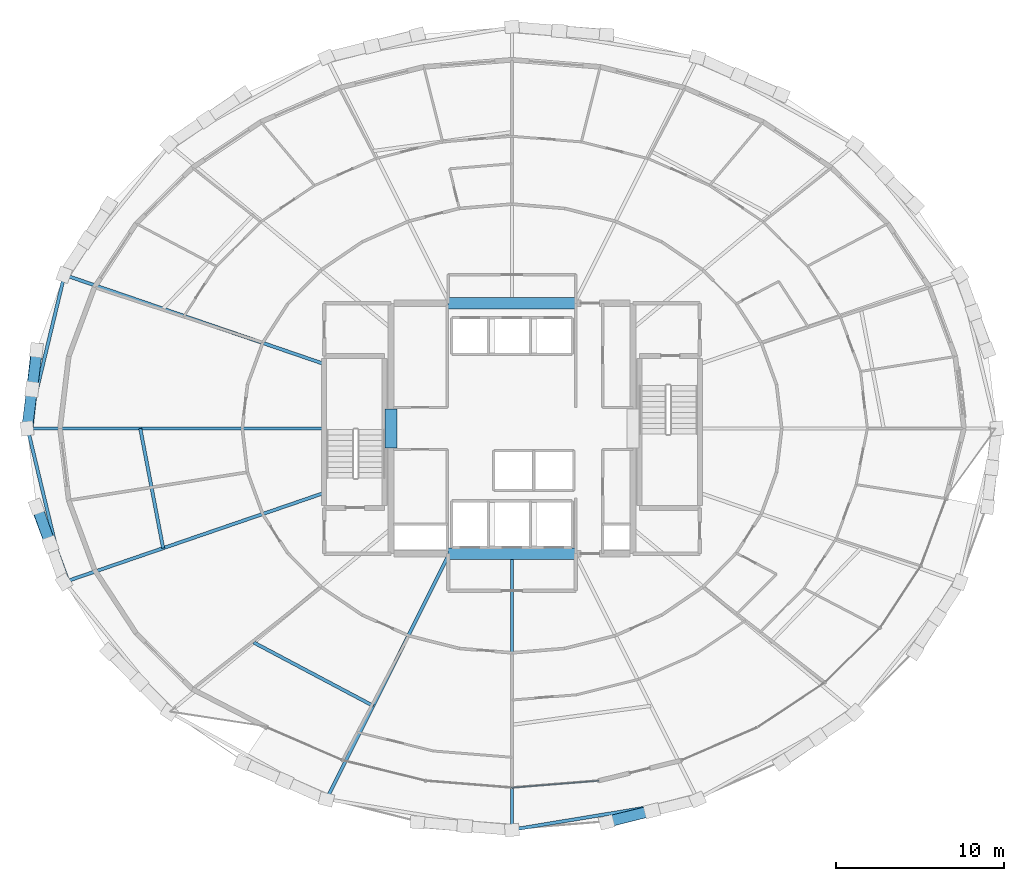
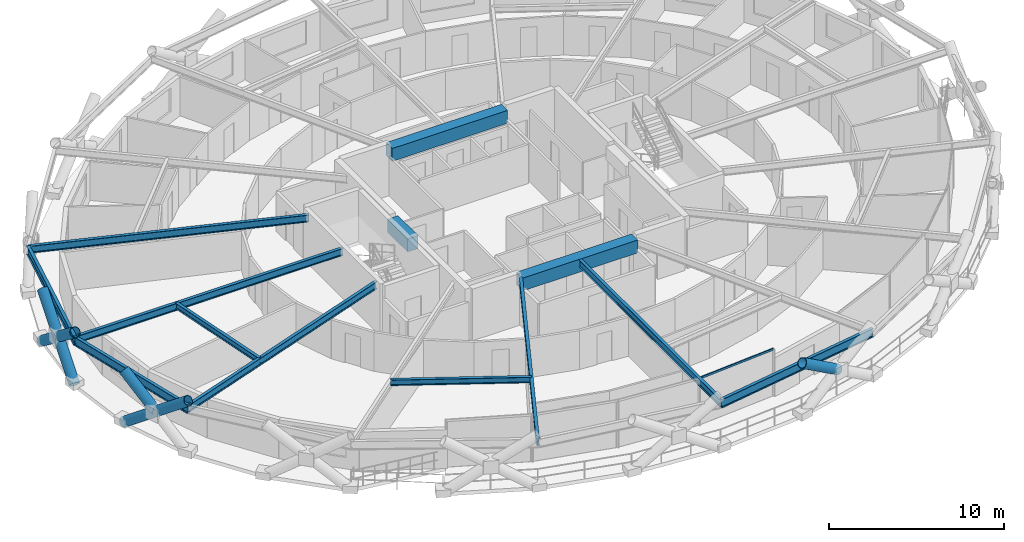
# One storey, part 4 of 21: 13 beams, 7 members, 1 element without a shape of its own.
"""IFC4 building model written with IfcOpenShell, lengths in metres."""

from ifc_helpers import new_model, si_unit, direction, frame, origin, origin_2d, place, context, subcontext, project, spatial, rectangle, hollow_rectangle, hollow_circle, i_section, extrude, material, layer, layer_set, material_profile, profile_set, type_object, element, aggregate, save


model = new_model("IFC4")

# Units and contexts
model_context = context("Model", 3, precision=1e-05, world=origin(), true_north=direction((0.0, 1.0)))
body_context = subcontext(model_context, "Body", "Model", "MODEL_VIEW")
ifc_project = project(units=[si_unit("LENGTHUNIT", "METRE"), si_unit("AREAUNIT", "SQUARE_METRE"), si_unit("VOLUMEUNIT", "CUBIC_METRE"), si_unit("PLANEANGLEUNIT", "RADIAN"), si_unit("MASSUNIT", "GRAM", prefix="KILO")], contexts=[model_context])

# Site, building, storey
site_placement = place(None, origin())
site = spatial("IfcSite", under=ifc_project, at=site_placement, CompositionType="ELEMENT")
building_placement = place(site_placement, origin())
building = spatial("IfcBuilding", under=site, at=building_placement, Name="Veldorina Hangang Commons", CompositionType="ELEMENT")
storey_placement = place(building_placement, frame((0.0, 0.0, 98.800048828125)))
storey = spatial("IfcBuildingStorey", under=building, at=storey_placement, Name="L25", CompositionType="ELEMENT", Elevation=98.800048828125)

# Beams
ifc_material_1 = material(Name="Concrete C70/85", Category="concrete")
ifc_material_profile_1 = material_profile(ifc_material_1, rectangle(XDim=0.699951171875, YDim=0.89990234375, at=origin_2d()), Name="RC-CB-700x900")
ifc_profile_set_1 = profile_set([ifc_material_profile_1], Name="Concrete C70/85")
beam_type_1 = type_object("IfcBeamType", Name="BM-CB900", PredefinedType="LINTEL", material=ifc_profile_set_1)
beam_1_placement = place(storey_placement, frame((24.800048828125, 22.85009765625, 2.889892578125), z_axis=(0.0, 1.0, 0.0), x_axis=(-1.0, 0.0, 0.0)))
element("IfcBeam", 1, at=beam_1_placement, inside=storey, type_object=beam_type_1, Name="L25 W core coupling lintel beam", PredefinedType="LINTEL", context=body_context, shape_type="SweptSolid", body=[
    extrude(rectangle(XDim=0.699951171875, YDim=0.89990234375, at=origin_2d()), origin(), (0.0, 0.0, 1.0), 2.2998046875),
])
for number, where, z_axis, x_axis, name in (
    (2, (28.199951171875, 16.550048828125, 2.889892578125), (1.0, 0.0, 0.0), (0.0, 1.0, 0.0), "L25 south core coupling beam"),
    (3, (28.199951171875, 31.449951171875, 2.889892578125), (1.0, 0.0, 0.0), (0.0, 1.0, 0.0), "L25 north core coupling beam"),
):
    element("IfcBeam", number, at=place(storey_placement, frame(where, z_axis=z_axis, x_axis=x_axis)), inside=storey, type_object=beam_type_1, Name=name, PredefinedType="LINTEL", context=body_context, shape_type="SweptSolid", body=[
        extrude(rectangle(XDim=0.699951171875, YDim=0.89990234375, at=origin_2d()), origin(), (0.0, 0.0, 1.0), 7.60009765625),
    ])
ifc_material_2 = material(Name="Steel SM420-TMC", Category="steel")
ifc_material_profile_2 = material_profile(ifc_material_2, i_section(OverallWidth=0.199951171875, OverallDepth=0.5, WebThickness=0.010009765625, FlangeThickness=0.01611328125, FilletRadius=0.01611328125, at=origin_2d()), Name="H-500x200x10x16")
ifc_profile_set_2 = profile_set([ifc_material_profile_2], Name="Steel SM420-TMC")
beam_type_2 = type_object("IfcBeamType", Name="BM-FG500", PredefinedType="BEAM", material=ifc_profile_set_2)
beam_2_placement = place(storey_placement, frame((20.820068359375, 27.836181640625, 3.08984375), z_axis=(-0.945869804802, 0.324546317747, 0.0), x_axis=(-0.324546317747, -0.945869804802, 0.0)))
element("IfcBeam", 4, at=beam_2_placement, inside=storey, type_object=beam_type_2, Name="L25 radial floor girder 08", PredefinedType="BEAM", context=body_context, shape_type="SweptSolid", body=[
    extrude(i_section(OverallWidth=0.199951171875, OverallDepth=0.5, WebThickness=0.010009765625, FlangeThickness=0.01611328125, FilletRadius=0.01611328125, at=origin_2d()), origin(), (0.0, 0.0, 1.0), 16.335205078125),
])
beam_3_placement = place(storey_placement, frame((20.820068359375, 24.0, 3.08984375), z_axis=(-1.0, 0.0, 0.0), x_axis=(0.0, -1.0, 0.0)))
element("IfcBeam", 5, at=beam_3_placement, inside=storey, type_object=beam_type_2, Name="L25 radial floor girder 09", PredefinedType="BEAM", context=body_context, shape_type="SweptSolid", body=[
    extrude(i_section(OverallWidth=0.199951171875, OverallDepth=0.5, WebThickness=0.010009765625, FlangeThickness=0.01611328125, FilletRadius=0.01611328125, at=origin_2d()), origin(), (0.0, 0.0, 1.0), 17.645263671875),
])
beam_4_placement = place(storey_placement, frame((20.820068359375, 20.163818359375, 3.08984375), z_axis=(-0.945869804802, -0.324546317747, 0.0), x_axis=(0.324546317747, -0.945869804802, 0.0)))
element("IfcBeam", 6, at=beam_4_placement, inside=storey, type_object=beam_type_2, Name="L25 radial floor girder 10", PredefinedType="BEAM", context=body_context, shape_type="SweptSolid", body=[
    extrude(i_section(OverallWidth=0.199951171875, OverallDepth=0.5, WebThickness=0.010009765625, FlangeThickness=0.01611328125, FilletRadius=0.01611328125, at=origin_2d()), origin(), (0.0, 0.0, 1.0), 16.335205078125),
])
beam_5_placement = place(storey_placement, frame((28.274658203125, 16.550048828125, 3.08984375), z_axis=(-0.447243487209, -0.894412244521, 0.0), x_axis=(0.894412244521, -0.447243487209, 0.0)))
element("IfcBeam", 7, at=beam_5_placement, inside=storey, type_object=beam_type_2, Name="L25 radial floor girder 12", PredefinedType="BEAM", context=body_context, shape_type="SweptSolid", body=[
    extrude(i_section(OverallWidth=0.199951171875, OverallDepth=0.5, WebThickness=0.010009765625, FlangeThickness=0.01611328125, FilletRadius=0.01611328125, at=origin_2d()), origin(), (0.0, 0.0, 1.0), 16.3349609375),
])
beam_6_placement = place(storey_placement, frame((32.0, 16.550048828125, 3.08984375), z_axis=(0.0, -1.0, 0.0), x_axis=(1.0, 0.0, 0.0)))
element("IfcBeam", 8, at=beam_6_placement, inside=storey, type_object=beam_type_2, Name="L25 radial floor girder 13", PredefinedType="BEAM", context=body_context, shape_type="SweptSolid", body=[
    extrude(i_section(OverallWidth=0.199951171875, OverallDepth=0.5, WebThickness=0.010009765625, FlangeThickness=0.01611328125, FilletRadius=0.01611328125, at=origin_2d()), origin(), (0.0, 0.0, 1.0), 16.427734375),
])
ifc_material_3 = material(Name="Steel SM355-TMC", Category="steel")
ifc_material_profile_3 = material_profile(ifc_material_3, i_section(OverallWidth=0.199951171875, OverallDepth=0.39990234375, WebThickness=0.008056640625, FlangeThickness=0.012939453125, FilletRadius=0.012939453125, at=origin_2d()), Name="H-400x200x8x13")
ifc_profile_set_3 = profile_set([ifc_material_profile_3], Name="Steel SM355-TMC")
beam_type_3 = type_object("IfcBeamType", Name="BM-JST400", PredefinedType="JOIST", material=ifc_profile_set_3)
beam_7_placement = place(storey_placement, frame((9.8798828125, 24.0, 3.139892578125), z_axis=(0.187621051992, -0.982241488051, 0.0), x_axis=(0.982241488051, 0.187621051992, 0.0)))
element("IfcBeam", 9, at=beam_7_placement, inside=storey, type_object=beam_type_3, Name="L25 secondary floor joist 09", PredefinedType="JOIST", context=body_context, shape_type="SweptSolid", body=[
    extrude(i_section(OverallWidth=0.199951171875, OverallDepth=0.39990234375, WebThickness=0.008056640625, FlangeThickness=0.012939453125, FilletRadius=0.012939453125, at=origin_2d()), origin(), (0.0, 0.0, 1.0), 7.251708984375),
])
beam_8_placement = place(storey_placement, frame((16.626953125, 11.265380859375, 3.139892578125), z_axis=(0.88351872738, -0.468395835132, 0.0), x_axis=(0.468395835132, 0.88351872738, 0.0)))
element("IfcBeam", 10, at=beam_8_placement, inside=storey, type_object=beam_type_3, Name="L25 secondary floor joist 11", PredefinedType="JOIST", context=body_context, shape_type="SweptSolid", body=[
    extrude(i_section(OverallWidth=0.199951171875, OverallDepth=0.39990234375, WebThickness=0.008056640625, FlangeThickness=0.012939453125, FilletRadius=0.012939453125, at=origin_2d()), origin(), (0.0, 0.0, 1.0), 8.056640625),
])
ifc_material_profile_4 = material_profile(ifc_material_2, i_section(OverallWidth=0.199951171875, OverallDepth=0.60009765625, WebThickness=0.010986328125, FlangeThickness=0.01708984375, FilletRadius=0.01806640625, at=origin_2d()), Name="H-600x200x11x17")
ifc_profile_set_4 = profile_set([ifc_material_profile_4], Name="Steel SM420-TMC")
beam_type_4 = type_object("IfcBeamType", Name="BM-RB600", PredefinedType="BEAM", material=ifc_profile_set_4)
for number, where, z_axis, x_axis, name in (
    (11, (5.369140625, 33.1376953125, 3.0400390625), (-0.233502650774, -0.972356165241, 0.0), (0.972356165241, -0.233502650774, 0.0), "L25 perimeter hoop ring beam 14"),
    (12, (3.1748046875, 24.0, 3.0400390625), (0.233502650774, -0.972356165241, 0.0), (0.972356165241, 0.233502650774, 0.0), "L25 perimeter hoop ring beam 16"),
):
    element("IfcBeam", number, at=place(storey_placement, frame(where, z_axis=z_axis, x_axis=x_axis)), inside=storey, type_object=beam_type_4, Name=name, PredefinedType="BEAM", context=body_context, shape_type="SweptSolid", body=[
        extrude(i_section(OverallWidth=0.199951171875, OverallDepth=0.60009765625, WebThickness=0.010986328125, FlangeThickness=0.01708984375, FilletRadius=0.01806640625, at=origin_2d()), origin(), (0.0, 0.0, 1.0), 9.3974609375),
    ])
beam_9_placement = place(storey_placement, frame((32.0, 0.122314453125, 3.0400390625), z_axis=(0.986695028377, 0.162582043828, 0.0), x_axis=(-0.162582043828, 0.986695028377, 0.0)))
element("IfcBeam", 13, at=beam_9_placement, inside=storey, type_object=beam_type_4, Name="L25 perimeter hoop ring beam 24", PredefinedType="BEAM", context=body_context, shape_type="SweptSolid", body=[
    extrude(i_section(OverallWidth=0.199951171875, OverallDepth=0.60009765625, WebThickness=0.010986328125, FlangeThickness=0.01708984375, FilletRadius=0.01806640625, at=origin_2d()), origin(), (0.0, 0.0, 1.0), 11.1796875),
])

# Curtain wall, member
ifc_material_4 = material(Name="Glass Low-E Triple IGU", Category="glass")
ifc_layer = layer(ifc_material_4, 0.179931640625)
ifc_layer_set = layer_set([ifc_layer], Name="Glass Low-E Triple IGU")
curtain_wall_type = type_object("IfcCurtainWallType", Name="CW-SYS-Z1", PredefinedType="NOTDEFINED", material=ifc_layer_set)
curtain_wall_placement = place(storey_placement, origin())
curtain_wall = element("IfcCurtainWall", 14, at=curtain_wall_placement, inside=storey, type_object=curtain_wall_type, Name="L25 unitised curtain wall CW-L25-R1", PredefinedType="NOTDEFINED")
ifc_material_5 = material(Name="Aluminium Anodized AA6063-T6", Category="aluminium")
ifc_material_profile_5 = material_profile(ifc_material_5, hollow_rectangle(XDim=0.06005859375, YDim=0.139892578125, WallThickness=0.00341796875, at=origin_2d()), Name="ALU-RHS-140x60x3.5")
ifc_profile_set_5 = profile_set([ifc_material_profile_5], Name="Aluminium Anodized AA6063-T6")
member_type_1 = type_object("IfcMemberType", Name="CW-TRN-140", PredefinedType="USERDEFINED", material=ifc_profile_set_5)
member_1_placement = place(storey_placement, frame((32.0, 2.62158203125, 3.260009765625), z_axis=(0.996820999339, 0.079673679951, 0.0), x_axis=(-0.079673679951, 0.996820999339, 0.0)))
member_1 = element("IfcMember", 15, at=member_1_placement, type_object=member_type_1, Name="CW-L25-R1 facet 4 transom 1", ObjectType="TRANSOM", PredefinedType="USERDEFINED", context=body_context, shape_type="SweptSolid", body=[
    extrude(hollow_rectangle(XDim=0.06005859375, YDim=0.139892578125, WallThickness=0.00341796875, at=origin_2d()), origin(), (0.0, 0.0, 1.0), 5.154052734375),
])
aggregate(curtain_wall, [member_1])

# Members
ifc_material_6 = material(Name="Steel SM460-TMC", Category="steel")
ifc_material_profile_6 = material_profile(ifc_material_6, hollow_circle(Radius=0.324951171875, WallThickness=0.031982421875, at=origin_2d()), Name="CHS-650x32")
ifc_profile_set_6 = profile_set([ifc_material_profile_6], Name="Steel SM460-TMC")
member_type_2 = type_object("IfcMemberType", Name="DG-CHS650", PredefinedType="BRACE", material=ifc_profile_set_6)
member_2_placement = place(storey_placement, frame((3.699462890625, 28.662353515625, 0.0), z_axis=(-0.087777056059, -0.788465869969, 0.608783015798), x_axis=(0.993860229503, -0.110642867881, 0.0)))
element("IfcMember", 16, at=member_2_placement, inside=storey, type_object=member_type_2, Name="L25 continuous perimeter diagrid brace 15", PredefinedType="BRACE", context=body_context, shape_type="SweptSolid", body=[
    extrude(hollow_circle(Radius=0.324951171875, WallThickness=0.031982421875, at=origin_2d()), origin(), (0.0, 0.0, 1.0), 5.9130859375),
])
member_3_placement = place(storey_placement, frame((3.14501953125, 24.0, 0.0), z_axis=(0.099568562465, 0.787309329048, 0.60846538255), x_axis=(-0.992097728457, 0.125467514485, 0.0)))
element("IfcMember", 17, at=member_3_placement, inside=storey, type_object=member_type_2, Name="L25 split perimeter diagrid lower brace 16", PredefinedType="BRACE", context=body_context, shape_type="SweptSolid", body=[
    extrude(hollow_circle(Radius=0.324951171875, WallThickness=0.031982421875, at=origin_2d()), origin(), (0.0, 0.0, 1.0), 2.95947265625),
])
member_4_placement = place(storey_placement, frame((3.439697265625, 26.330078125, 1.80078125), z_axis=(0.099593031278, 0.787247402299, 0.608541498745), x_axis=(-0.992092660822, 0.125507578826, 0.0)))
element("IfcMember", 18, at=member_4_placement, inside=storey, type_object=member_type_2, Name="L25 split perimeter diagrid upper brace 16", PredefinedType="BRACE", context=body_context, shape_type="SweptSolid", body=[
    extrude(hollow_circle(Radius=0.324951171875, WallThickness=0.031982421875, at=origin_2d()), origin(), (0.0, 0.0, 1.0), 2.956298828125),
])
member_5_placement = place(storey_placement, frame((3.699462890625, 19.337646484375, 0.0), z_axis=(0.28000149249, -0.747922353992, 0.601839942677), x_axis=(0.936522270003, 0.350608097152, 0.0)))
element("IfcMember", 19, at=member_5_placement, inside=storey, type_object=member_type_2, Name="L25 continuous perimeter diagrid brace 17", PredefinedType="BRACE", context=body_context, shape_type="SweptSolid", body=[
    extrude(hollow_circle(Radius=0.324951171875, WallThickness=0.031982421875, at=origin_2d()), origin(), (0.0, 0.0, 1.0), 5.9814453125),
])
member_6_placement = place(storey_placement, frame((4.537109375, 17.099609375, 1.801025390625), z_axis=(-0.26898910338, 0.751353874355, 0.602587933629), x_axis=(-0.941484276479, -0.337056904903, 0.0)))
element("IfcMember", 20, at=member_6_placement, inside=storey, type_object=member_type_2, Name="L25 split perimeter diagrid upper brace 18", PredefinedType="BRACE", context=body_context, shape_type="SweptSolid", body=[
    extrude(hollow_circle(Radius=0.324951171875, WallThickness=0.031982421875, at=origin_2d()), origin(), (0.0, 0.0, 1.0), 2.985107421875),
])
member_7_placement = place(storey_placement, frame((40.330810546875, 1.252685546875, 1.801025390625), z_axis=(-0.815990143337, -0.201165769067, 0.541933962151), x_axis=(0.239363070997, -0.970930131494, 0.0)))
element("IfcMember", 21, at=member_7_placement, inside=storey, type_object=member_type_2, Name="L25 split perimeter diagrid upper brace 26", PredefinedType="BRACE", context=body_context, shape_type="SweptSolid", body=[
    extrude(hollow_circle(Radius=0.324951171875, WallThickness=0.031982421875, at=origin_2d()), origin(), (0.0, 0.0, 1.0), 3.3193359375),
])

save(model, "model.ifc")
